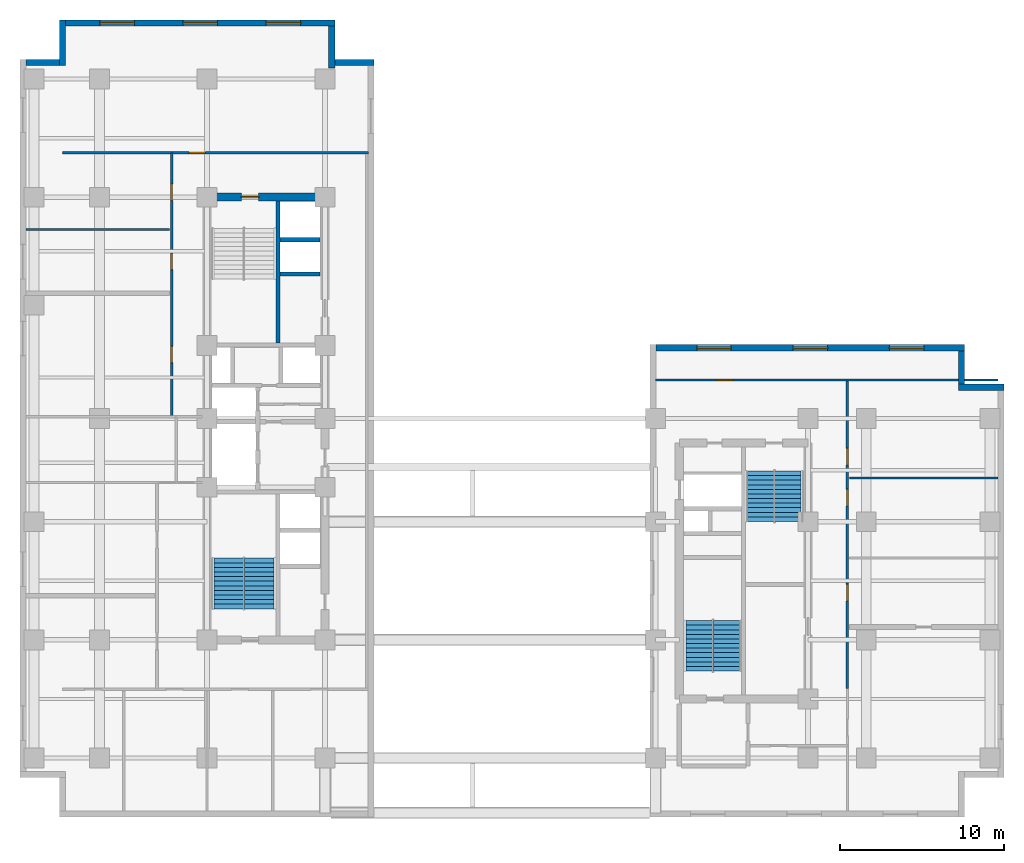
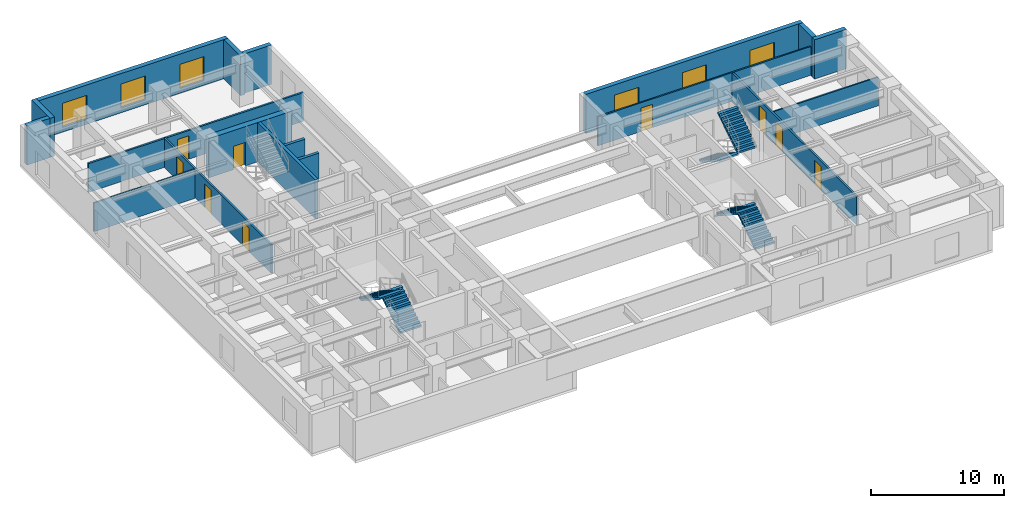
# One storey, part 5 of 9: 18 walls, 9 doors, 6 stair flights, 6 windows, 15 openings, 3 elements without a shape of their own.
"""IFC4 building model written with IfcOpenShell, lengths in metres."""

from ifc_helpers import new_model, entity, si_unit, converted_unit, direction, frame, origin_with_axes, origin_2d_with_axis, place, context, subcontext, project, spatial, polyline, rectangle, outline, extrude, material, layer, layer_set, type_object, element, fill, aggregate, save


model = new_model("IFC4")

# Units and contexts
model_context = context("Model", 3, precision=1e-05, world=origin_with_axes(), true_north=direction((0.0, 1.0)))
body_context = subcontext(model_context, "Body", "Model", "MODEL_VIEW")
ifc_project = project(units=[si_unit("LENGTHUNIT", "METRE"), si_unit("AREAUNIT", "SQUARE_METRE"), si_unit("VOLUMEUNIT", "CUBIC_METRE"), converted_unit("PLANEANGLEUNIT", "DEGREE", entity("IfcPlaneAngleMeasure", 0.017453292519943295), si_unit("PLANEANGLEUNIT", "RADIAN"), dimensions=[0, 0, 0, 0, 0, 0, 0]), si_unit("MASSUNIT", "GRAM", prefix="KILO"), si_unit("THERMODYNAMICTEMPERATUREUNIT", "KELVIN")], contexts=[model_context])

# Site, building, storey
site_placement = place(None, origin_with_axes())
site = spatial("IfcSite", under=ifc_project, at=site_placement, CompositionType="ELEMENT")
building_placement = place(site_placement, origin_with_axes())
building = spatial("IfcBuilding", under=site, at=building_placement, Name="Varnlund Millrace Tower", CompositionType="ELEMENT")
storey_placement = place(building_placement, frame((0.0, 0.0, 120.3), z_axis=(0.0, 0.0, 1.0), x_axis=(1.0, 0.0, 0.0)))
storey = spatial("IfcBuildingStorey", under=building, at=storey_placement, Name="L29", CompositionType="ELEMENT", Elevation=120.3)

# Wall, opening, door
ifc_material_1 = material(Name="Concrete C70/85", Category="concrete")
ifc_layer_1 = layer(ifc_material_1, 0.5, Name="Concrete C70/85")
ifc_layer_set_1 = layer_set([ifc_layer_1], Name="Concrete C70/85")
wall_type_1 = type_object("IfcWallType", Name="Type-CoreWall-Shear-500-C70", PredefinedType="SHEAR", material=ifc_layer_set_1)
wall_1_placement = place(storey_placement, frame((11.4, 37.8, 0.0), z_axis=(0.0, 0.0, 1.0), x_axis=(1.0, 0.0, 0.0)))
wall_1 = element("IfcWall", 1, at=wall_1_placement, inside=storey, type_object=wall_type_1, Name="Type-CoreWall-Shear-500-C70", PredefinedType="SHEAR", context=body_context, shape_type="SweptSolid", body=[
    extrude(outline(polyline([(0.0, -0.25), (7.2, -0.25), (7.2, 0.25), (0.0, 0.25), (0.0, -0.25)])), origin_with_axes(), (0.0, 0.0, 1.0), 3.6),
])
opening_1_placement = place(wall_1_placement, frame((2.625, 0.0, 0.0), z_axis=(0.0, 0.0, 1.0), x_axis=(1.0, 0.0, 0.0)))
opening_1 = element("IfcOpeningElement", 2, at=opening_1_placement, cuts=wall_1, Name="Opening L29:DR-STA2", PredefinedType="OPENING", context=body_context, shape_type="SweptSolid", body=[
    extrude(rectangle(XDim=1.05, YDim=0.52, at=origin_2d_with_axis()), origin_with_axes(), (0.0, 0.0, 1.0), 2.15),
])
ifc_material_2 = material(Name="Fire-rated hollow steel door", Category="steel")
door_type_1 = type_object("IfcDoorType", Name="Type-FireDoor-Stair-1050X2150", OperationType="NOTDEFINED", PredefinedType="DOOR", material=ifc_material_2)
door_1_placement = place(wall_1_placement, frame((2.625, 0.0, 0.0), z_axis=(0.0, 0.0, 1.0), x_axis=(1.0, 0.0, 0.0)))
door_1 = element("IfcDoor", 3, at=door_1_placement, inside=storey, type_object=door_type_1, Name="Type-FireDoor-Stair-1050X2150", OperationType="SINGLE_SWING_RIGHT", OverallHeight=2.15, OverallWidth=1.05, PredefinedType="DOOR", context=body_context, shape_type="SweptSolid", body=[
    extrude(rectangle(XDim=1.05, YDim=0.09, at=origin_2d_with_axis()), origin_with_axes(), (0.0, 0.0, 1.0), 2.15),
])
fill(opening_1, door_1)

# Walls
ifc_material_3 = material(Name="Precast concrete C50/60", Category="concrete")
ifc_layer_2 = layer(ifc_material_3, 0.38, Name="Precast concrete C50/60")
ifc_layer_set_2 = layer_set([ifc_layer_2], Name="Precast concrete C50/60")
wall_type_2 = type_object("IfcWallType", Name="Type-ExtWall-Precast-Tube-380", PredefinedType="SOLIDWALL", material=ifc_layer_set_2)
wall_2_placement = place(storey_placement, frame((0.38, 46.01, 0.0), z_axis=(0.0, 0.0, 1.0), x_axis=(1.0, 0.0, 0.0)))
element("IfcWall", 4, at=wall_2_placement, inside=storey, type_object=wall_type_2, Name="Type-ExtWall-Precast-Tube-380", PredefinedType="SOLIDWALL", context=body_context, shape_type="SweptSolid", body=[
    extrude(outline(polyline([(0.0, -0.19), (2.02, -0.19), (2.02, 0.19), (0.0, 0.19), (0.0, -0.19)])), origin_with_axes(), (0.0, 0.0, 1.0), 3.6),
])
wall_3_placement = place(storey_placement, frame((2.59, 45.82, 0.0), z_axis=(0.0, 0.0, 1.0), x_axis=(0.0, 1.0, 0.0)))
element("IfcWall", 5, at=wall_3_placement, inside=storey, type_object=wall_type_2, Name="Type-ExtWall-Precast-Tube-380", PredefinedType="SOLIDWALL", context=body_context, shape_type="SweptSolid", body=[
    extrude(outline(polyline([(0.0, -0.19), (2.78, -0.19), (2.78, 0.19), (0.0, 0.19), (0.0, -0.19)])), origin_with_axes(), (0.0, 0.0, 1.0), 3.6),
])

# Wall, openings, windows
wall_4_placement = place(storey_placement, frame((2.78, 48.41, 0.0), z_axis=(0.0, 0.0, 1.0), x_axis=(1.0, 0.0, 0.0)))
wall_4 = element("IfcWall", 6, at=wall_4_placement, inside=storey, type_object=wall_type_2, Name="Type-ExtWall-Precast-Tube-380", PredefinedType="SOLIDWALL", context=body_context, shape_type="SweptSolid", body=[
    extrude(outline(polyline([(0.0, -0.19), (16.42, -0.19), (16.42, 0.19), (0.0, 0.19), (0.0, -0.19)])), origin_with_axes(), (0.0, 0.0, 1.0), 3.6),
])
opening_2_placement = place(wall_4_placement, frame((3.137, 0.0, 0.45), z_axis=(0.0, 0.0, 1.0), x_axis=(1.0, 0.0, 0.0)))
opening_2 = element("IfcOpeningElement", 7, at=opening_2_placement, cuts=wall_4, Name="Opening L29:WN-06", PredefinedType="OPENING", context=body_context, shape_type="SweptSolid", body=[
    extrude(rectangle(XDim=2.1, YDim=0.4, at=origin_2d_with_axis()), origin_with_axes(), (0.0, 0.0, 1.0), 2.2),
])
opening_3_placement = place(wall_4_placement, frame((8.21, 0.0, 0.45), z_axis=(0.0, 0.0, 1.0), x_axis=(1.0, 0.0, 0.0)))
opening_3 = element("IfcOpeningElement", 8, at=opening_3_placement, cuts=wall_4, Name="Opening L29:WN-07", PredefinedType="OPENING", context=body_context, shape_type="SweptSolid", body=[
    extrude(rectangle(XDim=2.1, YDim=0.4, at=origin_2d_with_axis()), origin_with_axes(), (0.0, 0.0, 1.0), 2.2),
])
opening_4_placement = place(wall_4_placement, frame((13.283, 0.0, 0.45), z_axis=(0.0, 0.0, 1.0), x_axis=(1.0, 0.0, 0.0)))
opening_4 = element("IfcOpeningElement", 9, at=opening_4_placement, cuts=wall_4, Name="Opening L29:WN-08", PredefinedType="OPENING", context=body_context, shape_type="SweptSolid", body=[
    extrude(rectangle(XDim=2.1, YDim=0.4, at=origin_2d_with_axis()), origin_with_axes(), (0.0, 0.0, 1.0), 2.2),
])
ifc_material_4 = material(Name="Argon low-e triple glazing in thermally broken bronze frame", Category="glass")
window_type = type_object("IfcWindowType", Name="Type-Window-Punched-2100X2200", PartitioningType="SINGLE_PANEL", PredefinedType="WINDOW", material=ifc_material_4)
window_1_placement = place(wall_4_placement, frame((3.137, 0.0, 0.45), z_axis=(0.0, 0.0, 1.0), x_axis=(1.0, 0.0, 0.0)))
window_1 = element("IfcWindow", 10, at=window_1_placement, inside=storey, type_object=window_type, Name="Type-Window-Punched-2100X2200", OverallHeight=2.2, OverallWidth=2.1, PredefinedType="WINDOW", context=body_context, shape_type="SweptSolid", body=[
    extrude(rectangle(XDim=2.1, YDim=0.09, at=origin_2d_with_axis()), origin_with_axes(), (0.0, 0.0, 1.0), 2.2),
])
fill(opening_2, window_1)
window_2_placement = place(wall_4_placement, frame((8.21, 0.0, 0.45), z_axis=(0.0, 0.0, 1.0), x_axis=(1.0, 0.0, 0.0)))
window_2 = element("IfcWindow", 11, at=window_2_placement, inside=storey, type_object=window_type, Name="Type-Window-Punched-2100X2200", OverallHeight=2.2, OverallWidth=2.1, PredefinedType="WINDOW", context=body_context, shape_type="SweptSolid", body=[
    extrude(rectangle(XDim=2.1, YDim=0.09, at=origin_2d_with_axis()), origin_with_axes(), (0.0, 0.0, 1.0), 2.2),
])
fill(opening_3, window_2)
window_3_placement = place(wall_4_placement, frame((13.283, 0.0, 0.45), z_axis=(0.0, 0.0, 1.0), x_axis=(1.0, 0.0, 0.0)))
window_3 = element("IfcWindow", 12, at=window_3_placement, inside=storey, type_object=window_type, Name="Type-Window-Punched-2100X2200", OverallHeight=2.2, OverallWidth=2.1, PredefinedType="WINDOW", context=body_context, shape_type="SweptSolid", body=[
    extrude(rectangle(XDim=2.1, YDim=0.09, at=origin_2d_with_axis()), origin_with_axes(), (0.0, 0.0, 1.0), 2.2),
])
fill(opening_4, window_3)

# Walls
wall_5_placement = place(storey_placement, frame((19.01, 48.22, 0.0), z_axis=(0.0, 0.0, 1.0), x_axis=(0.0, -1.0, 0.0)))
element("IfcWall", 13, at=wall_5_placement, inside=storey, type_object=wall_type_2, Name="Type-ExtWall-Precast-Tube-380", PredefinedType="SOLIDWALL", context=body_context, shape_type="SweptSolid", body=[
    extrude(outline(polyline([(0.0, -0.19), (2.56, -0.19), (2.56, 0.19), (0.0, 0.19), (0.0, -0.19)])), origin_with_axes(), (0.0, 0.0, 1.0), 3.6),
])
wall_6_placement = place(storey_placement, frame((18.82, 46.01, 0.0), z_axis=(0.0, 0.0, 1.0), x_axis=(1.0, 0.0, 0.0)))
element("IfcWall", 14, at=wall_6_placement, inside=storey, type_object=wall_type_2, Name="Type-ExtWall-Precast-Tube-380", PredefinedType="SOLIDWALL", context=body_context, shape_type="SweptSolid", body=[
    extrude(outline(polyline([(0.0, -0.19), (2.78, -0.19), (2.78, 0.19), (0.0, 0.19), (0.0, -0.19)])), origin_with_axes(), (0.0, 0.0, 1.0), 3.6),
])

# Wall, openings, windows
wall_7_placement = place(storey_placement, frame((38.78, 28.61, 0.0), z_axis=(0.0, 0.0, 1.0), x_axis=(1.0, 0.0, 0.0)))
wall_7 = element("IfcWall", 15, at=wall_7_placement, inside=storey, type_object=wall_type_2, Name="Type-ExtWall-Precast-Tube-380", PredefinedType="SOLIDWALL", context=body_context, shape_type="SweptSolid", body=[
    extrude(outline(polyline([(0.0, -0.19), (18.82, -0.19), (18.82, 0.19), (0.0, 0.19), (0.0, -0.19)])), origin_with_axes(), (0.0, 0.0, 1.0), 3.6),
])
opening_5_placement = place(wall_7_placement, frame((3.537, 0.0, 0.45), z_axis=(0.0, 0.0, 1.0), x_axis=(1.0, 0.0, 0.0)))
opening_5 = element("IfcOpeningElement", 16, at=opening_5_placement, cuts=wall_7, Name="Opening L29:WN-10", PredefinedType="OPENING", context=body_context, shape_type="SweptSolid", body=[
    extrude(rectangle(XDim=2.1, YDim=0.4, at=origin_2d_with_axis()), origin_with_axes(), (0.0, 0.0, 1.0), 2.2),
])
opening_6_placement = place(wall_7_placement, frame((9.41, 0.0, 0.45), z_axis=(0.0, 0.0, 1.0), x_axis=(1.0, 0.0, 0.0)))
opening_6 = element("IfcOpeningElement", 17, at=opening_6_placement, cuts=wall_7, Name="Opening L29:WN-11", PredefinedType="OPENING", context=body_context, shape_type="SweptSolid", body=[
    extrude(rectangle(XDim=2.1, YDim=0.4, at=origin_2d_with_axis()), origin_with_axes(), (0.0, 0.0, 1.0), 2.2),
])
opening_7_placement = place(wall_7_placement, frame((15.283, 0.0, 0.45), z_axis=(0.0, 0.0, 1.0), x_axis=(1.0, 0.0, 0.0)))
opening_7 = element("IfcOpeningElement", 18, at=opening_7_placement, cuts=wall_7, Name="Opening L29:WN-12", PredefinedType="OPENING", context=body_context, shape_type="SweptSolid", body=[
    extrude(rectangle(XDim=2.1, YDim=0.4, at=origin_2d_with_axis()), origin_with_axes(), (0.0, 0.0, 1.0), 2.2),
])
window_4_placement = place(wall_7_placement, frame((3.537, 0.0, 0.45), z_axis=(0.0, 0.0, 1.0), x_axis=(1.0, 0.0, 0.0)))
window_4 = element("IfcWindow", 19, at=window_4_placement, inside=storey, type_object=window_type, Name="Type-Window-Punched-2100X2200", OverallHeight=2.2, OverallWidth=2.1, PredefinedType="WINDOW", context=body_context, shape_type="SweptSolid", body=[
    extrude(rectangle(XDim=2.1, YDim=0.09, at=origin_2d_with_axis()), origin_with_axes(), (0.0, 0.0, 1.0), 2.2),
])
fill(opening_5, window_4)
window_5_placement = place(wall_7_placement, frame((9.41, 0.0, 0.45), z_axis=(0.0, 0.0, 1.0), x_axis=(1.0, 0.0, 0.0)))
window_5 = element("IfcWindow", 20, at=window_5_placement, inside=storey, type_object=window_type, Name="Type-Window-Punched-2100X2200", OverallHeight=2.2, OverallWidth=2.1, PredefinedType="WINDOW", context=body_context, shape_type="SweptSolid", body=[
    extrude(rectangle(XDim=2.1, YDim=0.09, at=origin_2d_with_axis()), origin_with_axes(), (0.0, 0.0, 1.0), 2.2),
])
fill(opening_6, window_5)
window_6_placement = place(wall_7_placement, frame((15.283, 0.0, 0.45), z_axis=(0.0, 0.0, 1.0), x_axis=(1.0, 0.0, 0.0)))
window_6 = element("IfcWindow", 21, at=window_6_placement, inside=storey, type_object=window_type, Name="Type-Window-Punched-2100X2200", OverallHeight=2.2, OverallWidth=2.1, PredefinedType="WINDOW", context=body_context, shape_type="SweptSolid", body=[
    extrude(rectangle(XDim=2.1, YDim=0.09, at=origin_2d_with_axis()), origin_with_axes(), (0.0, 0.0, 1.0), 2.2),
])
fill(opening_7, window_6)

# Walls
wall_8_placement = place(storey_placement, frame((57.41, 28.42, 0.0), z_axis=(0.0, 0.0, 1.0), x_axis=(0.0, -1.0, 0.0)))
element("IfcWall", 22, at=wall_8_placement, inside=storey, type_object=wall_type_2, Name="Type-ExtWall-Precast-Tube-380", PredefinedType="SOLIDWALL", context=body_context, shape_type="SweptSolid", body=[
    extrude(outline(polyline([(0.0, -0.19), (2.02, -0.19), (2.02, 0.19), (0.0, 0.19), (0.0, -0.19)])), origin_with_axes(), (0.0, 0.0, 1.0), 3.6),
])
wall_9_placement = place(storey_placement, frame((57.22, 26.21, 0.0), z_axis=(0.0, 0.0, 1.0), x_axis=(1.0, 0.0, 0.0)))
element("IfcWall", 23, at=wall_9_placement, inside=storey, type_object=wall_type_2, Name="Type-ExtWall-Precast-Tube-380", PredefinedType="SOLIDWALL", context=body_context, shape_type="SweptSolid", body=[
    extrude(outline(polyline([(0.0, -0.19), (2.78, -0.19), (2.78, 0.19), (0.0, 0.19), (0.0, -0.19)])), origin_with_axes(), (0.0, 0.0, 1.0), 3.6),
])

# Wall, opening, door
ifc_material_5 = material(Name="Fire-rated gypsum board on cold-formed steel framing", Category="steel")
ifc_layer_3 = layer(ifc_material_5, 0.16, Name="Fire-rated gypsum board on cold-formed steel framing")
ifc_layer_set_3 = layer_set([ifc_layer_3], Name="Fire-rated gypsum board on cold-formed steel framing")
wall_type_3 = type_object("IfcWallType", Name="Type-Partition-Corridor-160", PredefinedType="PARTITIONING", material=ifc_layer_set_3)
wall_10_placement = place(storey_placement, frame((2.6, 40.5, 0.0), z_axis=(0.0, 0.0, 1.0), x_axis=(1.0, 0.0, 0.0)))
wall_10 = element("IfcWall", 24, at=wall_10_placement, inside=storey, type_object=wall_type_3, Name="Type-Partition-Corridor-160", PredefinedType="PARTITIONING", context=body_context, shape_type="SweptSolid", body=[
    extrude(outline(polyline([(0.0, -0.08), (18.65, -0.08), (18.65, 0.08), (0.0, 0.08), (0.0, -0.08)])), origin_with_axes(), (0.0, 0.0, 1.0), 2.64),
])
opening_8_placement = place(wall_10_placement, frame((8.205, 0.0, 0.0), z_axis=(0.0, 0.0, 1.0), x_axis=(1.0, 0.0, 0.0)))
opening_8 = element("IfcOpeningElement", 25, at=opening_8_placement, cuts=wall_10, Name="Opening L29:DR-WAN-01", PredefinedType="OPENING", context=body_context, shape_type="SweptSolid", body=[
    extrude(rectangle(XDim=1.0, YDim=0.18, at=origin_2d_with_axis()), origin_with_axes(), (0.0, 0.0, 1.0), 2.15),
])
ifc_material_6 = material(Name="Solid-core white oak and bronze frame door")
door_type_2 = type_object("IfcDoorType", Name="Type-IntDoor-Office-1000X2150", OperationType="NOTDEFINED", PredefinedType="DOOR", material=ifc_material_6)
door_2_placement = place(wall_10_placement, frame((8.205, 0.0, 0.0), z_axis=(0.0, 0.0, 1.0), x_axis=(1.0, 0.0, 0.0)))
door_2 = element("IfcDoor", 26, at=door_2_placement, inside=storey, type_object=door_type_2, Name="Type-IntDoor-Office-1000X2150", OperationType="SINGLE_SWING_LEFT", OverallHeight=2.15, OverallWidth=1.0, PredefinedType="DOOR", context=body_context, shape_type="SweptSolid", body=[
    extrude(rectangle(XDim=1.0, YDim=0.09, at=origin_2d_with_axis()), origin_with_axes(), (0.0, 0.0, 1.0), 2.15),
])
fill(opening_8, door_2)

# Wall, openings, doors
wall_11_placement = place(storey_placement, frame((9.25, 24.4, 0.0), z_axis=(0.0, 0.0, 1.0), x_axis=(0.0, 1.0, 0.0)))
wall_11 = element("IfcWall", 27, at=wall_11_placement, inside=storey, type_object=wall_type_3, Name="Type-Partition-Corridor-160", PredefinedType="PARTITIONING", context=body_context, shape_type="SweptSolid", body=[
    extrude(outline(polyline([(0.0, -0.08), (16.1, -0.08), (16.1, 0.08), (0.0, 0.08), (0.0, -0.08)])), origin_with_axes(), (0.0, 0.0, 1.0), 2.64),
])
opening_9_placement = place(wall_11_placement, frame((3.8045, 0.0, 0.0), z_axis=(0.0, 0.0, 1.0), x_axis=(1.0, 0.0, 0.0)))
opening_9 = element("IfcOpeningElement", 28, at=opening_9_placement, cuts=wall_11, Name="Opening L29:DR-WN-01", PredefinedType="OPENING", context=body_context, shape_type="SweptSolid", body=[
    extrude(rectangle(XDim=1.0, YDim=0.18, at=origin_2d_with_axis()), origin_with_axes(), (0.0, 0.0, 1.0), 2.15),
])
opening_10_placement = place(wall_11_placement, frame((9.4755, 0.0, 0.0), z_axis=(0.0, 0.0, 1.0), x_axis=(1.0, 0.0, 0.0)))
opening_10 = element("IfcOpeningElement", 29, at=opening_10_placement, cuts=wall_11, Name="Opening L29:DR-WN-02", PredefinedType="OPENING", context=body_context, shape_type="SweptSolid", body=[
    extrude(rectangle(XDim=1.0, YDim=0.18, at=origin_2d_with_axis()), origin_with_axes(), (0.0, 0.0, 1.0), 2.15),
])
opening_11_placement = place(wall_11_placement, frame((13.696, 0.0, 0.0), z_axis=(0.0, 0.0, 1.0), x_axis=(1.0, 0.0, 0.0)))
opening_11 = element("IfcOpeningElement", 30, at=opening_11_placement, cuts=wall_11, Name="Opening L29:DR-WN-03", PredefinedType="OPENING", context=body_context, shape_type="SweptSolid", body=[
    extrude(rectangle(XDim=1.0, YDim=0.18, at=origin_2d_with_axis()), origin_with_axes(), (0.0, 0.0, 1.0), 2.15),
])
door_3_placement = place(wall_11_placement, frame((3.8045, 0.0, 0.0), z_axis=(0.0, 0.0, 1.0), x_axis=(1.0, 0.0, 0.0)))
door_3 = element("IfcDoor", 31, at=door_3_placement, inside=storey, type_object=door_type_2, Name="Type-IntDoor-Office-1000X2150", OperationType="SINGLE_SWING_LEFT", OverallHeight=2.15, OverallWidth=1.0, PredefinedType="DOOR", context=body_context, shape_type="SweptSolid", body=[
    extrude(rectangle(XDim=1.0, YDim=0.09, at=origin_2d_with_axis()), origin_with_axes(), (0.0, 0.0, 1.0), 2.15),
])
fill(opening_9, door_3)
door_4_placement = place(wall_11_placement, frame((9.4755, 0.0, 0.0), z_axis=(0.0, 0.0, 1.0), x_axis=(1.0, 0.0, 0.0)))
door_4 = element("IfcDoor", 32, at=door_4_placement, inside=storey, type_object=door_type_2, Name="Type-IntDoor-Office-1000X2150", OperationType="SINGLE_SWING_RIGHT", OverallHeight=2.15, OverallWidth=1.0, PredefinedType="DOOR", context=body_context, shape_type="SweptSolid", body=[
    extrude(rectangle(XDim=1.0, YDim=0.09, at=origin_2d_with_axis()), origin_with_axes(), (0.0, 0.0, 1.0), 2.15),
])
fill(opening_10, door_4)
door_5_placement = place(wall_11_placement, frame((13.696, 0.0, 0.0), z_axis=(0.0, 0.0, 1.0), x_axis=(1.0, 0.0, 0.0)))
door_5 = element("IfcDoor", 33, at=door_5_placement, inside=storey, type_object=door_type_2, Name="Type-IntDoor-Office-1000X2150", OperationType="SINGLE_SWING_LEFT", OverallHeight=2.15, OverallWidth=1.0, PredefinedType="DOOR", context=body_context, shape_type="SweptSolid", body=[
    extrude(rectangle(XDim=1.0, YDim=0.09, at=origin_2d_with_axis()), origin_with_axes(), (0.0, 0.0, 1.0), 2.15),
])
fill(opening_11, door_5)

wall_12_placement = place(storey_placement, frame((50.45, 7.85, 0.0), z_axis=(0.0, 0.0, 1.0), x_axis=(0.0, 1.0, 0.0)))
wall_12 = element("IfcWall", 34, at=wall_12_placement, inside=storey, type_object=wall_type_3, Name="Type-Partition-Corridor-160", PredefinedType="PARTITIONING", context=body_context, shape_type="SweptSolid", body=[
    extrude(outline(polyline([(0.0, -0.08), (18.8, -0.08), (18.8, 0.08), (0.0, 0.08), (0.0, -0.08)])), origin_with_axes(), (0.0, 0.0, 1.0), 2.64),
])
opening_12_placement = place(wall_12_placement, frame((5.836, 0.0, 0.0), z_axis=(0.0, 0.0, 1.0), x_axis=(1.0, 0.0, 0.0)))
opening_12 = element("IfcOpeningElement", 35, at=opening_12_placement, cuts=wall_12, Name="Opening L29:DR-WB-02", PredefinedType="OPENING", context=body_context, shape_type="SweptSolid", body=[
    extrude(rectangle(XDim=1.0, YDim=0.18, at=origin_2d_with_axis()), origin_with_axes(), (0.0, 0.0, 1.0), 2.15),
])
opening_13_placement = place(wall_12_placement, frame((11.622, 0.0, 0.0), z_axis=(0.0, 0.0, 1.0), x_axis=(1.0, 0.0, 0.0)))
opening_13 = element("IfcOpeningElement", 36, at=opening_13_placement, cuts=wall_12, Name="Opening L29:DR-WB-03", PredefinedType="OPENING", context=body_context, shape_type="SweptSolid", body=[
    extrude(rectangle(XDim=1.0, YDim=0.18, at=origin_2d_with_axis()), origin_with_axes(), (0.0, 0.0, 1.0), 2.15),
])
opening_14_placement = place(wall_12_placement, frame((14.125, 0.0, 0.0), z_axis=(0.0, 0.0, 1.0), x_axis=(1.0, 0.0, 0.0)))
opening_14 = element("IfcOpeningElement", 37, at=opening_14_placement, cuts=wall_12, Name="Opening L29:DR-WB-04", PredefinedType="OPENING", context=body_context, shape_type="SweptSolid", body=[
    extrude(rectangle(XDim=1.0, YDim=0.18, at=origin_2d_with_axis()), origin_with_axes(), (0.0, 0.0, 1.0), 2.15),
])
door_6_placement = place(wall_12_placement, frame((5.836, 0.0, 0.0), z_axis=(0.0, 0.0, 1.0), x_axis=(1.0, 0.0, 0.0)))
door_6 = element("IfcDoor", 38, at=door_6_placement, inside=storey, type_object=door_type_2, Name="Type-IntDoor-Office-1000X2150", OperationType="SINGLE_SWING_RIGHT", OverallHeight=2.15, OverallWidth=1.0, PredefinedType="DOOR", context=body_context, shape_type="SweptSolid", body=[
    extrude(rectangle(XDim=1.0, YDim=0.09, at=origin_2d_with_axis()), origin_with_axes(), (0.0, 0.0, 1.0), 2.15),
])
fill(opening_12, door_6)
door_7_placement = place(wall_12_placement, frame((11.622, 0.0, 0.0), z_axis=(0.0, 0.0, 1.0), x_axis=(1.0, 0.0, 0.0)))
door_7 = element("IfcDoor", 39, at=door_7_placement, inside=storey, type_object=door_type_2, Name="Type-IntDoor-Office-1000X2150", OperationType="SINGLE_SWING_LEFT", OverallHeight=2.15, OverallWidth=1.0, PredefinedType="DOOR", context=body_context, shape_type="SweptSolid", body=[
    extrude(rectangle(XDim=1.0, YDim=0.09, at=origin_2d_with_axis()), origin_with_axes(), (0.0, 0.0, 1.0), 2.15),
])
fill(opening_13, door_7)
door_8_placement = place(wall_12_placement, frame((14.125, 0.0, 0.0), z_axis=(0.0, 0.0, 1.0), x_axis=(1.0, 0.0, 0.0)))
door_8 = element("IfcDoor", 40, at=door_8_placement, inside=storey, type_object=door_type_2, Name="Type-IntDoor-Office-1000X2150", OperationType="SINGLE_SWING_RIGHT", OverallHeight=2.15, OverallWidth=1.0, PredefinedType="DOOR", context=body_context, shape_type="SweptSolid", body=[
    extrude(rectangle(XDim=1.0, YDim=0.09, at=origin_2d_with_axis()), origin_with_axes(), (0.0, 0.0, 1.0), 2.15),
])
fill(opening_14, door_8)

# Wall
ifc_material_7 = material(Name="Gypsum board tenant partition", Category="gypsum")
ifc_layer_4 = layer(ifc_material_7, 0.125, Name="Gypsum board tenant partition")
ifc_layer_set_4 = layer_set([ifc_layer_4], Name="Gypsum board tenant partition")
wall_type_4 = type_object("IfcWallType", Name="Type-Partition-Tenant-125", PredefinedType="PARTITIONING", material=ifc_layer_set_4)
wall_13_placement = place(storey_placement, frame((0.375, 35.822, 0.0), z_axis=(0.0, 0.0, 1.0), x_axis=(1.0, 0.0, 0.0)))
element("IfcWall", 41, at=wall_13_placement, inside=storey, type_object=wall_type_4, Name="Type-Partition-Tenant-125", PredefinedType="PARTITIONING", context=body_context, shape_type="SweptSolid", body=[
    extrude(outline(polyline([(0.0, -0.0625), (8.755, -0.0625), (8.755, 0.0625), (0.0, 0.0625), (0.0, -0.0625)])), origin_with_axes(), (0.0, 0.0, 1.0), 2.64),
])

# Wall, opening, door
wall_14_placement = place(storey_placement, frame((38.76, 26.65, 0.0), z_axis=(0.0, 0.0, 1.0), x_axis=(1.0, 0.0, 0.0)))
wall_14 = element("IfcWall", 42, at=wall_14_placement, inside=storey, type_object=wall_type_4, Name="Type-Partition-Tenant-125", PredefinedType="PARTITIONING", context=body_context, shape_type="SweptSolid", body=[
    extrude(outline(polyline([(0.0, -0.0625), (20.88, -0.0625), (20.88, 0.0625), (0.0, 0.0625), (0.0, -0.0625)])), origin_with_axes(), (0.0, 0.0, 1.0), 2.64),
])
opening_15_placement = place(wall_14_placement, frame((4.24, 0.0, 0.0), z_axis=(0.0, 0.0, 1.0), x_axis=(1.0, 0.0, 0.0)))
opening_15 = element("IfcOpeningElement", 43, at=opening_15_placement, cuts=wall_14, Name="Opening L29:DR-WBN-01", PredefinedType="OPENING", context=body_context, shape_type="SweptSolid", body=[
    extrude(rectangle(XDim=1.0, YDim=0.145, at=origin_2d_with_axis()), origin_with_axes(), (0.0, 0.0, 1.0), 2.15),
])
door_9_placement = place(wall_14_placement, frame((4.24, 0.0, 0.0), z_axis=(0.0, 0.0, 1.0), x_axis=(1.0, 0.0, 0.0)))
door_9 = element("IfcDoor", 44, at=door_9_placement, inside=storey, type_object=door_type_2, Name="Type-IntDoor-Office-1000X2150", OperationType="SINGLE_SWING_RIGHT", OverallHeight=2.15, OverallWidth=1.0, PredefinedType="DOOR", context=body_context, shape_type="SweptSolid", body=[
    extrude(rectangle(XDim=1.0, YDim=0.075, at=origin_2d_with_axis()), origin_with_axes(), (0.0, 0.0, 1.0), 2.15),
])
fill(opening_15, door_9)

# Walls
wall_15_placement = place(storey_placement, frame((50.57, 20.66, 0.0), z_axis=(0.0, 0.0, 1.0), x_axis=(1.0, 0.0, 0.0)))
element("IfcWall", 45, at=wall_15_placement, inside=storey, type_object=wall_type_4, Name="Type-Partition-Tenant-125", PredefinedType="PARTITIONING", context=body_context, shape_type="SweptSolid", body=[
    extrude(outline(polyline([(0.0, -0.0625), (9.055, -0.0625), (9.055, 0.0625), (0.0, 0.0625), (0.0, -0.0625)])), origin_with_axes(), (0.0, 0.0, 1.0), 2.64),
])
ifc_material_8 = material(Name="Concrete C60/75", Category="concrete")
ifc_layer_5 = layer(ifc_material_8, 0.25, Name="Concrete C60/75")
ifc_layer_set_5 = layer_set([ifc_layer_5], Name="Concrete C60/75")
wall_type_5 = type_object("IfcWallType", Name="Type-ShaftWall-Fire-250", PredefinedType="SOLIDWALL", material=ifc_layer_set_5)
for number, where, z_axis, x_axis, name in (
    (46, (15.84, 33.1, 0.0), (0.0, 0.0, 1.0), (1.0, 0.0, 0.0), "Type-ShaftWall-Fire-250"),
    (47, (15.84, 35.2, 0.0), (0.0, 0.0, 1.0), (1.0, 0.0, 0.0), "Type-ShaftWall-Fire-250"),
):
    element("IfcWall", number, at=place(storey_placement, frame(where, z_axis=z_axis, x_axis=x_axis)), inside=storey, type_object=wall_type_5, Name=name, PredefinedType="SOLIDWALL", context=body_context, shape_type="SweptSolid", body=[
        extrude(outline(polyline([(0.0, -0.125), (2.46, -0.125), (2.46, 0.125), (0.0, 0.125), (0.0, -0.125)])), origin_with_axes(), (0.0, 0.0, 1.0), 2.64),
    ])
wall_type_6 = type_object("IfcWallType", Name="Type-StairWall-Shear-250", PredefinedType="SHEAR", material=ifc_layer_set_5)
wall_16_placement = place(storey_placement, frame((15.725, 28.9, 0.0), z_axis=(0.0, 0.0, 1.0), x_axis=(0.0, 1.0, 0.0)))
element("IfcWall", 48, at=wall_16_placement, inside=storey, type_object=wall_type_6, Name="Type-StairWall-Shear-250", PredefinedType="SHEAR", context=body_context, shape_type="SweptSolid", body=[
    extrude(outline(polyline([(0.0, -0.125), (8.65, -0.125), (8.65, 0.125), (0.0, 0.125), (0.0, -0.125)])), origin_with_axes(), (0.0, 0.0, 1.0), 3.6),
])

# Stair, stair flights
ifc_material_9 = material(Name="Concrete C50/60", Category="concrete")
stair_type_1 = type_object("IfcStairType", Name="Type-Stair-Dogleg-165-390", PredefinedType="HALF_TURN_STAIR", material=ifc_material_9)
stair_1_placement = place(storey_placement, origin_with_axes())
stair_1 = element("IfcStair", 49, at=stair_1_placement, inside=storey, type_object=stair_type_1, Name="Type-Stair-Dogleg-165-390", PredefinedType="HALF_TURN_STAIR")
stair_flight_type_1 = type_object("IfcStairFlightType", Name="Type-Dogleg-Run-165-390", PredefinedType="STRAIGHT", material=ifc_material_3)
stair_flight_1_placement = place(storey_placement, frame((42.225, 8.9, 0.0), z_axis=(1.0, 0.0, 0.0), x_axis=(0.0, 1.0, 0.0)))
stair_flight_1 = element("IfcStairFlight", 50, at=stair_flight_1_placement, type_object=stair_flight_type_1, Name="ST-B1 flight 1", NumberOfRisers=11, NumberOfTreads=11, PredefinedType="STRAIGHT", RiserHeight=0.177273, TreadLength=0.28, context=body_context, shape_type="SweptSolid", body=[
    extrude(outline(polyline([(0.0, 0.0), (0.0, 0.177273), (0.28, 0.177273), (0.28, 0.354545), (0.56, 0.354545), (0.56, 0.531818), (0.84, 0.531818), (0.84, 0.709091), (1.12, 0.709091), (1.12, 0.886364), (1.4, 0.886364), (1.4, 1.063636), (1.68, 1.063636), (1.68, 1.240909), (1.96, 1.240909), (1.96, 1.418182), (2.24, 1.418182), (2.24, 1.595454), (2.52, 1.595454), (2.52, 1.772727), (2.8, 1.772727), (2.8, 1.95), (3.08, 1.95), (3.08, 1.8), (0.28, 0.0), (0.0, 0.0)])), origin_with_axes(), (0.0, 0.0, 1.0), 1.65),
])
stair_flight_2_placement = place(storey_placement, frame((42.275, 11.98, 1.95), z_axis=(-1.0, 0.0, 0.0), x_axis=(0.0, -1.0, 0.0)))
stair_flight_2 = element("IfcStairFlight", 51, at=stair_flight_2_placement, type_object=stair_flight_type_1, Name="ST-B1 flight 2", NumberOfRisers=11, NumberOfTreads=11, PredefinedType="STRAIGHT", RiserHeight=0.177273, TreadLength=0.28, context=body_context, shape_type="SweptSolid", body=[
    extrude(outline(polyline([(0.0, 0.0), (0.0, 0.177273), (0.28, 0.177273), (0.28, 0.354545), (0.56, 0.354545), (0.56, 0.531818), (0.84, 0.531818), (0.84, 0.709091), (1.12, 0.709091), (1.12, 0.886364), (1.4, 0.886364), (1.4, 1.063636), (1.68, 1.063636), (1.68, 1.240909), (1.96, 1.240909), (1.96, 1.418182), (2.24, 1.418182), (2.24, 1.595454), (2.52, 1.595454), (2.52, 1.772727), (2.8, 1.772727), (2.8, 1.95), (3.08, 1.95), (3.08, 1.8), (0.28, 0.0), (0.0, 0.0)])), origin_with_axes(), (0.0, 0.0, 1.0), 1.65),
])
aggregate(stair_1, [stair_flight_1, stair_flight_2])

stair_2_placement = place(storey_placement, origin_with_axes())
stair_2 = element("IfcStair", 52, at=stair_2_placement, inside=storey, type_object=stair_type_1, Name="Type-Stair-Dogleg-165-390", PredefinedType="HALF_TURN_STAIR")
stair_flight_3_placement = place(storey_placement, frame((46.025, 21.1, 0.0), z_axis=(-1.0, 0.0, 0.0), x_axis=(0.0, -1.0, 0.0)))
stair_flight_3 = element("IfcStairFlight", 53, at=stair_flight_3_placement, type_object=stair_flight_type_1, Name="ST-B2 flight 1", NumberOfRisers=11, NumberOfTreads=11, PredefinedType="STRAIGHT", RiserHeight=0.177273, TreadLength=0.28, context=body_context, shape_type="SweptSolid", body=[
    extrude(outline(polyline([(0.0, 0.0), (0.0, 0.177273), (0.28, 0.177273), (0.28, 0.354545), (0.56, 0.354545), (0.56, 0.531818), (0.84, 0.531818), (0.84, 0.709091), (1.12, 0.709091), (1.12, 0.886364), (1.4, 0.886364), (1.4, 1.063636), (1.68, 1.063636), (1.68, 1.240909), (1.96, 1.240909), (1.96, 1.418182), (2.24, 1.418182), (2.24, 1.595454), (2.52, 1.595454), (2.52, 1.772727), (2.8, 1.772727), (2.8, 1.95), (3.08, 1.95), (3.08, 1.8), (0.28, 0.0), (0.0, 0.0)])), origin_with_axes(), (0.0, 0.0, 1.0), 1.65),
])
stair_flight_4_placement = place(storey_placement, frame((45.975, 18.02, 1.95), z_axis=(1.0, 0.0, 0.0), x_axis=(0.0, 1.0, 0.0)))
stair_flight_4 = element("IfcStairFlight", 54, at=stair_flight_4_placement, type_object=stair_flight_type_1, Name="ST-B2 flight 2", NumberOfRisers=11, NumberOfTreads=11, PredefinedType="STRAIGHT", RiserHeight=0.177273, TreadLength=0.28, context=body_context, shape_type="SweptSolid", body=[
    extrude(outline(polyline([(0.0, 0.0), (0.0, 0.177273), (0.28, 0.177273), (0.28, 0.354545), (0.56, 0.354545), (0.56, 0.531818), (0.84, 0.531818), (0.84, 0.709091), (1.12, 0.709091), (1.12, 0.886364), (1.4, 0.886364), (1.4, 1.063636), (1.68, 1.063636), (1.68, 1.240909), (1.96, 1.240909), (1.96, 1.418182), (2.24, 1.418182), (2.24, 1.595454), (2.52, 1.595454), (2.52, 1.772727), (2.8, 1.772727), (2.8, 1.95), (3.08, 1.95), (3.08, 1.8), (0.28, 0.0), (0.0, 0.0)])), origin_with_axes(), (0.0, 0.0, 1.0), 1.65),
])
aggregate(stair_2, [stair_flight_3, stair_flight_4])

stair_type_2 = type_object("IfcStairType", Name="Type-Stair-Dogleg-185-390", PredefinedType="HALF_TURN_STAIR", material=ifc_material_9)
stair_3_placement = place(storey_placement, origin_with_axes())
stair_3 = element("IfcStair", 55, at=stair_3_placement, inside=storey, type_object=stair_type_2, Name="Type-Stair-Dogleg-185-390", PredefinedType="HALF_TURN_STAIR")
stair_flight_type_2 = type_object("IfcStairFlightType", Name="Type-Dogleg-Run-185-390", PredefinedType="STRAIGHT", material=ifc_material_3)
stair_flight_5_placement = place(storey_placement, frame((13.625, 12.7, 0.0), z_axis=(1.0, 0.0, 0.0), x_axis=(0.0, 1.0, 0.0)))
stair_flight_5 = element("IfcStairFlight", 56, at=stair_flight_5_placement, type_object=stair_flight_type_2, Name="ST-A1 flight 1", NumberOfRisers=11, NumberOfTreads=11, PredefinedType="STRAIGHT", RiserHeight=0.177273, TreadLength=0.28, context=body_context, shape_type="SweptSolid", body=[
    extrude(outline(polyline([(0.0, 0.0), (0.0, 0.177273), (0.28, 0.177273), (0.28, 0.354545), (0.56, 0.354545), (0.56, 0.531818), (0.84, 0.531818), (0.84, 0.709091), (1.12, 0.709091), (1.12, 0.886364), (1.4, 0.886364), (1.4, 1.063636), (1.68, 1.063636), (1.68, 1.240909), (1.96, 1.240909), (1.96, 1.418182), (2.24, 1.418182), (2.24, 1.595454), (2.52, 1.595454), (2.52, 1.772727), (2.8, 1.772727), (2.8, 1.95), (3.08, 1.95), (3.08, 1.8), (0.28, 0.0), (0.0, 0.0)])), origin_with_axes(), (0.0, 0.0, 1.0), 1.85),
])
stair_flight_6_placement = place(storey_placement, frame((13.675, 15.78, 1.95), z_axis=(-1.0, 0.0, 0.0), x_axis=(0.0, -1.0, 0.0)))
stair_flight_6 = element("IfcStairFlight", 57, at=stair_flight_6_placement, type_object=stair_flight_type_2, Name="ST-A1 flight 2", NumberOfRisers=11, NumberOfTreads=11, PredefinedType="STRAIGHT", RiserHeight=0.177273, TreadLength=0.28, context=body_context, shape_type="SweptSolid", body=[
    extrude(outline(polyline([(0.0, 0.0), (0.0, 0.177273), (0.28, 0.177273), (0.28, 0.354545), (0.56, 0.354545), (0.56, 0.531818), (0.84, 0.531818), (0.84, 0.709091), (1.12, 0.709091), (1.12, 0.886364), (1.4, 0.886364), (1.4, 1.063636), (1.68, 1.063636), (1.68, 1.240909), (1.96, 1.240909), (1.96, 1.418182), (2.24, 1.418182), (2.24, 1.595454), (2.52, 1.595454), (2.52, 1.772727), (2.8, 1.772727), (2.8, 1.95), (3.08, 1.95), (3.08, 1.8), (0.28, 0.0), (0.0, 0.0)])), origin_with_axes(), (0.0, 0.0, 1.0), 1.85),
])
aggregate(stair_3, [stair_flight_5, stair_flight_6])

save(model, "model.ifc")
